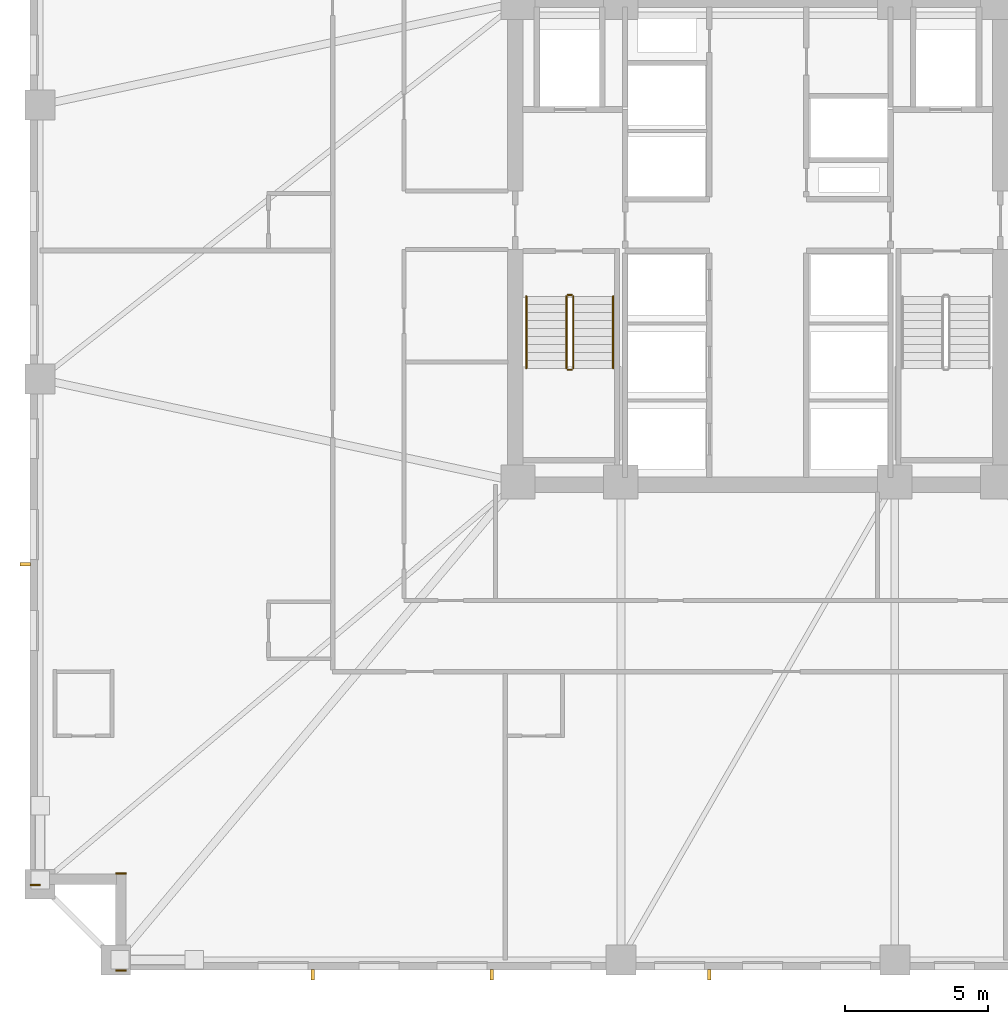
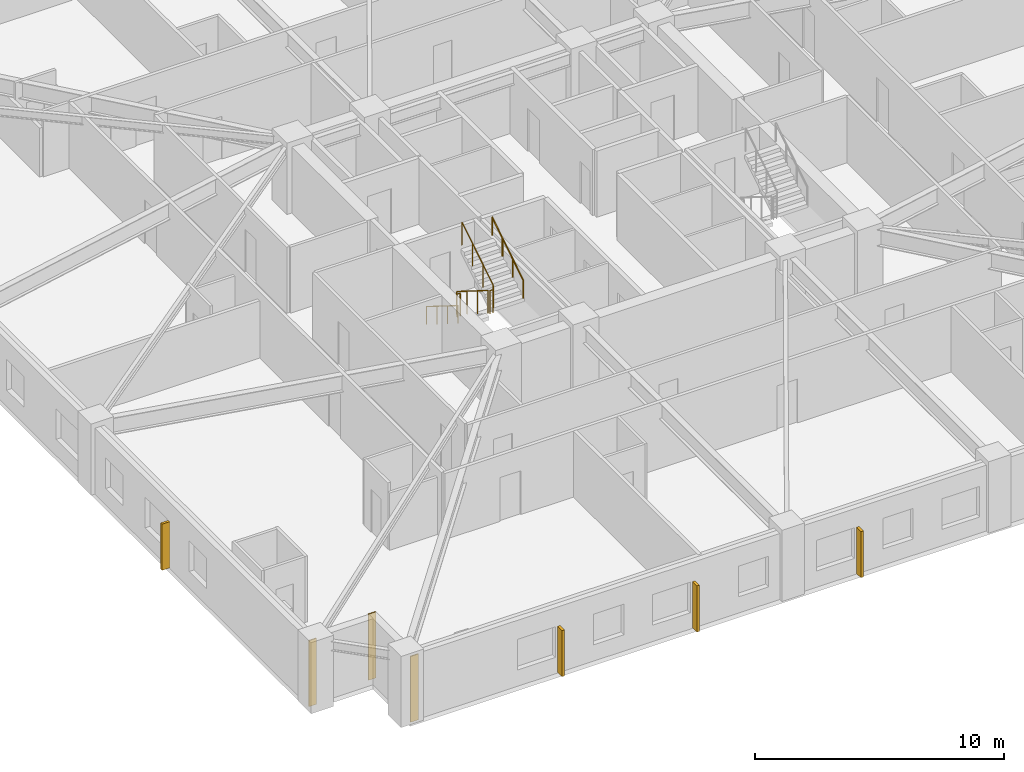
# One storey, part 8 of 11: 6 railings, 4 shading devices, 3 coverings.
"""IFC4 building model written with IfcOpenShell, lengths in metres."""

from ifc_helpers import new_model, si_unit, direction, frame, frame_2d, origin, origin_2d, place, context, subcontext, project, spatial, rectangle, circle, extrude, material, layer, layer_set, type_object, element, save


model = new_model("IFC4")

# Units and contexts
model_context = context("Model", 3, precision=1e-05, world=origin(), true_north=direction((0.0, 1.0)))
body_context = subcontext(model_context, "Body", "Model", "MODEL_VIEW")
ifc_project = project(units=[si_unit("LENGTHUNIT", "METRE"), si_unit("AREAUNIT", "SQUARE_METRE"), si_unit("VOLUMEUNIT", "CUBIC_METRE"), si_unit("PLANEANGLEUNIT", "RADIAN"), si_unit("MASSUNIT", "GRAM", prefix="KILO")], contexts=[model_context])

# Site, building, storey
site_placement = place(None, origin())
site = spatial("IfcSite", under=ifc_project, at=site_placement, CompositionType="ELEMENT")
building_placement = place(site_placement, origin())
building = spatial("IfcBuilding", under=site, at=building_placement, Name="Cairnveth Concourse Tower", CompositionType="ELEMENT")
storey_placement = place(building_placement, frame((0.0, 0.0, 93.5)))
storey = spatial("IfcBuildingStorey", under=building, at=storey_placement, Name="L25", CompositionType="ELEMENT", Elevation=93.5)

# Coverings
ifc_material_1 = material(Name="Dressed Melbourne Bluestone Cladding", Category="masonry")
ifc_layer = layer(ifc_material_1, 0.050048828125)
ifc_layer_set = layer_set([ifc_layer], Name="Dressed Melbourne Bluestone Cladding")
covering_type = type_object("IfcCoveringType", Name="DRESSED BLUESTONE PLINTH CLADDING 50", PredefinedType="CLADDING", material=ifc_layer_set)
for number, where, z_axis, x_axis, name in (
    (1, (29.860107421875, 13.47998046875, 0.0), (0.0, 0.0, 1.0), (-1.0, 0.0, 0.0), "Melbourne Bluestone Corner Quoin L25-350"),
    (2, (29.860107421875, 16.8798828125, 0.0), (0.0, 0.0, 1.0), (-1.0, 0.0, 0.0), "Melbourne Bluestone Corner Quoin L25-351"),
    (3, (26.860107421875, 16.47998046875, 0.0), (0.0, 0.0, 1.0), (-1.0, 0.0, 0.0), "Melbourne Bluestone Corner Quoin L25-352"),
):
    element("IfcCovering", number, at=place(storey_placement, frame(where, z_axis=z_axis, x_axis=x_axis)), inside=storey, type_object=covering_type, Name=name, PredefinedType="CLADDING", context=body_context, shape_type="SweptSolid", body=[
        extrude(rectangle(XDim=0.360107421875, YDim=0.050048828125, at=frame_2d((0.18017578125, 0.0))), origin(), (0.0, 0.0, 1.0), 3.239990234375),
    ])

# Shading devices
ifc_material_2 = material(Name="Architectural Bronze Anodised Aluminium 6063-T6", Category="aluminium")
shading_device_type = type_object("IfcShadingDeviceType", Name="GOTHIC BRONZE VERTICAL LANCET FIN", PredefinedType="USERDEFINED", material=ifc_material_2)
for number, where, z_axis, x_axis, name in (
    (4, (50.293701171875, 13.324951171875, 0.0302734375), (0.0, 0.0, 1.0), (1.0, 0.0, 0.0), "Gothic Bronze Vertical Fin L25-6-7"),
    (5, (42.673583984375, 13.324951171875, 0.0302734375), (0.0, 0.0, 1.0), (1.0, 0.0, 0.0), "Gothic Bronze Vertical Fin L25-6-9"),
    (6, (36.403076171875, 13.324951171875, 0.0302734375), (0.0, 0.0, 1.0), (1.0, 0.0, 0.0), "Gothic Bronze Vertical Fin L25-6-11"),
    (7, (26.324951171875, 27.715576171875, 0.0302734375), (0.0, 0.0, 1.0), (0.0, 1.0, 0.0), "Gothic Bronze Vertical Fin L25-9-3"),
):
    element("IfcShadingDevice", number, at=place(storey_placement, frame(where, z_axis=z_axis, x_axis=x_axis)), inside=storey, type_object=shading_device_type, Name=name, ObjectType="VERTICAL FIN", PredefinedType="USERDEFINED", context=body_context, shape_type="SweptSolid", body=[
        extrude(rectangle(XDim=0.1201171875, YDim=0.360107421875, at=origin_2d()), origin(), (0.0, 0.0, 1.0), 2.263916015625),
    ])

# Railings
ifc_material_3 = material(Name="Steel Grade 350", Category="steel")
railing_type_1 = type_object("IfcRailingType", Name="STAIR GUARDRAIL 1150", PredefinedType="GUARDRAIL", material=ifc_material_3)
railing_1_placement = place(storey_placement, frame((45.2900390625, 37.10009765625, 0.175048828125)))
element("IfcRailing", 8, at=railing_1_placement, inside=storey, type_object=railing_type_1, Name="L25 ST-1 stair guard 1", PredefinedType="GUARDRAIL", context=body_context, shape_type="SweptSolid", body=[
    extrude(circle(Radius=0.02392578125, at=origin_2d()), frame((0.0, 0.0, 1.1259765625), z_axis=(0.0, -0.848007534815, 0.529984170421), x_axis=(1.0, 0.0, 0.0)), (0.0, 0.0, 1.0), 2.9716796875),
    extrude(circle(Radius=0.02099609375, at=origin_2d()), origin(), (0.0, 0.0, 1.0), 1.101806640625),
    extrude(circle(Radius=0.02099609375, at=origin_2d()), frame((0.0, -0.840087890625, 0.52490234375)), (0.0, 0.0, 1.0), 1.101806640625),
    extrude(circle(Radius=0.02099609375, at=origin_2d()), frame((0.0, -1.679931640625, 1.050048828125)), (0.0, 0.0, 1.0), 1.101806640625),
    extrude(circle(Radius=0.02099609375, at=origin_2d()), frame((0.0, -2.52001953125, 1.574951171875)), (0.0, 0.0, 1.0), 1.101806640625),
])
railing_2_placement = place(storey_placement, frame((45.340087890625, 34.530029296875, 1.75)))
element("IfcRailing", 9, at=railing_2_placement, inside=storey, type_object=railing_type_1, Name="L25 ST-1 stair guard 2", PredefinedType="GUARDRAIL", context=body_context, shape_type="SweptSolid", body=[
    extrude(circle(Radius=0.02392578125, at=origin_2d()), frame((0.0, 0.0, 1.1259765625), z_axis=(1.0, 0.0, 0.0), x_axis=(0.0, 1.0, 0.0)), (0.0, 0.0, 1.0), 0.139892578125),
    extrude(circle(Radius=0.02099609375, at=origin_2d()), origin(), (0.0, 0.0, 1.0), 1.101806640625),
    extrude(circle(Radius=0.02099609375, at=origin_2d()), frame((0.139892578125, 0.0, 0.0)), (0.0, 0.0, 1.0), 1.101806640625),
])
railing_3_placement = place(storey_placement, frame((45.530029296875, 34.580078125, 1.925048828125)))
element("IfcRailing", 10, at=railing_3_placement, inside=storey, type_object=railing_type_1, Name="L25 ST-1 stair guard 3", PredefinedType="GUARDRAIL", context=body_context, shape_type="SweptSolid", body=[
    extrude(circle(Radius=0.02392578125, at=origin_2d()), frame((0.0, 0.0, 1.1259765625), z_axis=(0.0, 0.848007534815, 0.529984170421), x_axis=(-1.0, 0.0, 0.0)), (0.0, 0.0, 1.0), 2.9716796875),
    extrude(circle(Radius=0.02099609375, at=origin_2d()), origin(), (0.0, 0.0, 1.0), 1.101806640625),
    extrude(circle(Radius=0.02099609375, at=origin_2d()), frame((0.0, 0.840087890625, 0.52490234375)), (0.0, 0.0, 1.0), 1.101806640625),
    extrude(circle(Radius=0.02099609375, at=origin_2d()), frame((0.0, 1.679931640625, 1.050048828125)), (0.0, 0.0, 1.0), 1.101806640625),
    extrude(circle(Radius=0.02099609375, at=origin_2d()), frame((0.0, 2.52001953125, 1.574951171875)), (0.0, 0.0, 1.0), 1.101806640625),
])
railing_4_placement = place(storey_placement, frame((45.340087890625, 37.14990234375, 0.0)))
element("IfcRailing", 11, at=railing_4_placement, inside=storey, type_object=railing_type_1, Name="L25 ST-1 stair guard 4", PredefinedType="GUARDRAIL", context=body_context, shape_type="SweptSolid", body=[
    extrude(circle(Radius=0.02392578125, at=origin_2d()), frame((0.0, 0.0, 1.1259765625), z_axis=(1.0, 0.0, 0.0), x_axis=(0.0, 1.0, 0.0)), (0.0, 0.0, 1.0), 0.139892578125),
    extrude(circle(Radius=0.02099609375, at=origin_2d()), origin(), (0.0, 0.0, 1.0), 1.101806640625),
    extrude(circle(Radius=0.02099609375, at=origin_2d()), frame((0.139892578125, 0.0, 0.0)), (0.0, 0.0, 1.0), 1.101806640625),
])
railing_type_2 = type_object("IfcRailingType", Name="STAIR WALL HANDRAIL 900", PredefinedType="HANDRAIL", material=ifc_material_3)
railing_5_placement = place(storey_placement, frame((43.889892578125, 37.10009765625, 0.175048828125)))
element("IfcRailing", 12, at=railing_5_placement, inside=storey, type_object=railing_type_2, Name="L25 ST-1 stair handrail 1", PredefinedType="HANDRAIL", context=body_context, shape_type="SweptSolid", body=[
    extrude(circle(Radius=0.02392578125, at=origin_2d()), frame((0.0, 0.0, 0.8759765625), z_axis=(0.0, -0.848007534815, 0.529984170421), x_axis=(1.0, 0.0, 0.0)), (0.0, 0.0, 1.0), 2.9716796875),
    extrude(circle(Radius=0.02099609375, at=origin_2d()), origin(), (0.0, 0.0, 1.0), 0.851806640625),
    extrude(circle(Radius=0.02099609375, at=origin_2d()), frame((0.0, -0.840087890625, 0.52490234375)), (0.0, 0.0, 1.0), 0.851806640625),
    extrude(circle(Radius=0.02099609375, at=origin_2d()), frame((0.0, -1.679931640625, 1.050048828125)), (0.0, 0.0, 1.0), 0.851806640625),
    extrude(circle(Radius=0.02099609375, at=origin_2d()), frame((0.0, -2.52001953125, 1.574951171875)), (0.0, 0.0, 1.0), 0.851806640625),
])
railing_6_placement = place(storey_placement, frame((46.929931640625, 34.580078125, 1.925048828125)))
element("IfcRailing", 13, at=railing_6_placement, inside=storey, type_object=railing_type_2, Name="L25 ST-1 stair handrail 2", PredefinedType="HANDRAIL", context=body_context, shape_type="SweptSolid", body=[
    extrude(circle(Radius=0.02392578125, at=origin_2d()), frame((0.0, 0.0, 0.8759765625), z_axis=(0.0, 0.848007534815, 0.529984170421), x_axis=(-1.0, 0.0, 0.0)), (0.0, 0.0, 1.0), 2.9716796875),
    extrude(circle(Radius=0.02099609375, at=origin_2d()), origin(), (0.0, 0.0, 1.0), 0.851806640625),
    extrude(circle(Radius=0.02099609375, at=origin_2d()), frame((0.0, 0.840087890625, 0.52490234375)), (0.0, 0.0, 1.0), 0.851806640625),
    extrude(circle(Radius=0.02099609375, at=origin_2d()), frame((0.0, 1.679931640625, 1.050048828125)), (0.0, 0.0, 1.0), 0.851806640625),
    extrude(circle(Radius=0.02099609375, at=origin_2d()), frame((0.0, 2.52001953125, 1.574951171875)), (0.0, 0.0, 1.0), 0.851806640625),
])

save(model, "model.ifc")
